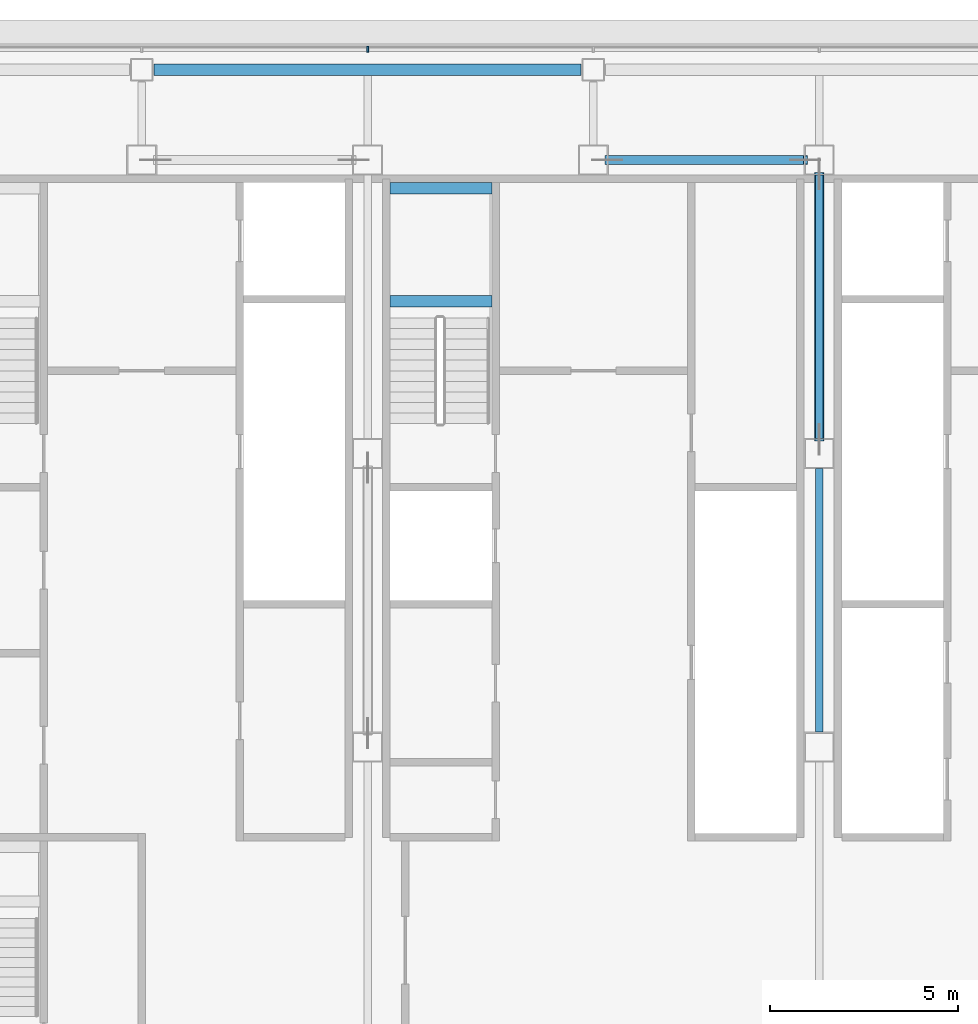
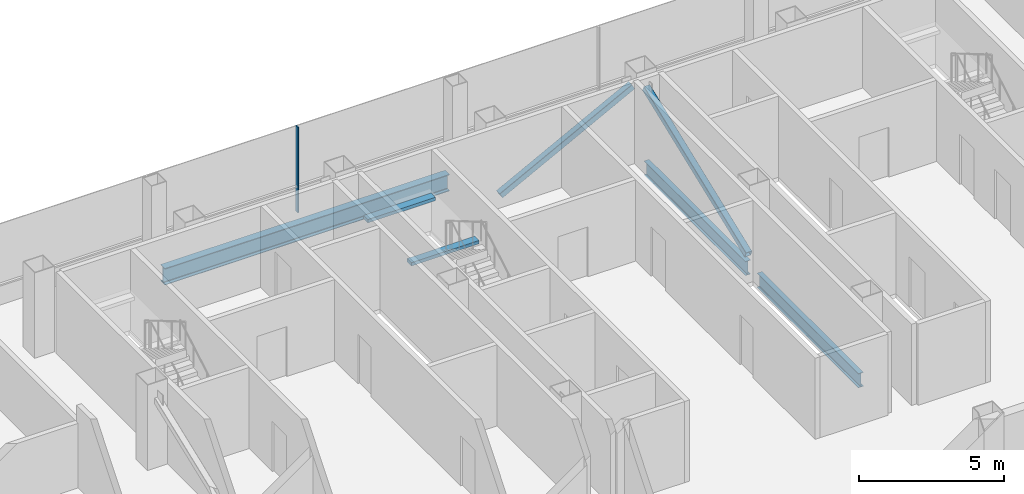
# One storey, part 14 of 27: 5 beams, 3 members, 1 element without a shape of its own.
"""IFC4 building model written with IfcOpenShell, lengths in metres."""

from ifc_helpers import new_model, si_unit, direction, frame, origin, origin_2d, place, context, subcontext, project, spatial, rectangle, hollow_rectangle, i_section, extrude, material, material_profile, profile_set, type_object, element, aggregate, save


model = new_model("IFC4")

# Units and contexts
model_context = context("Model", 3, precision=1e-05, world=origin(), true_north=direction((0.0, 1.0)))
body_context = subcontext(model_context, "Body", "Model", "MODEL_VIEW")
ifc_project = project(units=[si_unit("LENGTHUNIT", "METRE"), si_unit("AREAUNIT", "SQUARE_METRE"), si_unit("VOLUMEUNIT", "CUBIC_METRE"), si_unit("PLANEANGLEUNIT", "RADIAN"), si_unit("MASSUNIT", "GRAM", prefix="KILO")], contexts=[model_context])

# Site, building, storey
site_placement = place(None, origin())
site = spatial("IfcSite", under=ifc_project, at=site_placement, CompositionType="ELEMENT")
building_placement = place(site_placement, origin())
building = spatial("IfcBuilding", under=site, at=building_placement, Name="Sorahane Residences", CompositionType="ELEMENT")
storey_placement = place(building_placement, frame((0.0, 0.0, 246.800048828125)))
storey = spatial("IfcBuildingStorey", under=building, at=storey_placement, Name="L58", CompositionType="ELEMENT", Elevation=246.800048828125)

# Members
ifc_material_1 = material(Name="Steel Q355B", Category="steel")
ifc_material_profile_1 = material_profile(ifc_material_1, hollow_rectangle(XDim=0.25, YDim=0.25, WallThickness=0.013916015625, InnerFilletRadius=0.007080078125, OuterFilletRadius=0.02099609375, at=origin_2d()), Name="RHS 250x250x14")
ifc_profile_set_1 = profile_set([ifc_material_profile_1], Name="Steel Q355B")
member_type_1 = type_object("IfcMemberType", Name="Core brace RHS 250x250x14 Q355B", PredefinedType="BRACE", material=ifc_profile_set_1)
member_1_placement = place(storey_placement, frame((24.365234375, 45.60009765625, 0.106689453125), z_axis=(0.886099769192, 0.0, 0.46349455125), x_axis=(0.0, 1.0, 0.0)))
element("IfcMember", 1, at=member_1_placement, inside=storey, type_object=member_type_1, Name="Core brace L58 y45.6-4", PredefinedType="BRACE", context=body_context, shape_type="SweptSolid", body=[
    extrude(hollow_rectangle(XDim=0.25, YDim=0.25, WallThickness=0.013916015625, InnerFilletRadius=0.007080078125, OuterFilletRadius=0.02099609375, at=origin_2d()), origin(), (0.0, 0.0, 1.0), 5.94677734375),
])
member_2_placement = place(storey_placement, frame((30.0, 38.1728515625, 0.114501953125), z_axis=(0.0, 0.932108763247, 0.362178482902), x_axis=(-1.0, 0.0, 0.0)))
element("IfcMember", 2, at=member_2_placement, inside=storey, type_object=member_type_1, Name="Core brace L58 x30-2", PredefinedType="BRACE", context=body_context, shape_type="SweptSolid", body=[
    extrude(hollow_rectangle(XDim=0.25, YDim=0.25, WallThickness=0.013916015625, InnerFilletRadius=0.007080078125, OuterFilletRadius=0.02099609375, at=origin_2d()), origin(), (0.0, 0.0, 1.0), 7.568115234375),
])

# Curtain wall, member
ifc_material_2 = material(Name="Dark low-e glass and black anodised aluminium", Category="aluminium")
curtain_wall_type = type_object("IfcCurtainWallType", Name="Curtain wall CW-1 Typical unitised wall", PredefinedType="NOTDEFINED", material=ifc_material_2)
curtain_wall_placement = place(storey_placement, origin())
curtain_wall = element("IfcCurtainWall", 3, at=curtain_wall_placement, inside=storey, type_object=curtain_wall_type, Name="CW-1 curtain wall L58 N1", PredefinedType="NOTDEFINED")
ifc_material_3 = material(Name="Black anodised aluminium", Category="aluminium")
ifc_material_profile_2 = material_profile(ifc_material_3, rectangle(XDim=0.159912109375, YDim=0.050048828125, at=origin_2d()), Name="Curtain wall mullion CW-1 black anodised aluminium 50x160")
ifc_profile_set_2 = profile_set([ifc_material_profile_2], Name="Black anodised aluminium")
member_type_2 = type_object("IfcMemberType", Name="Curtain wall mullion CW-1 black anodised aluminium 50x160", PredefinedType="MULLION", material=ifc_profile_set_2)
member_3_placement = place(storey_placement, frame((18.0, 48.5400390625, -0.179931640625), z_axis=(0.0, 0.0, 1.0), x_axis=(0.0, 1.0, 0.0)))
member_3 = element("IfcMember", 4, at=member_3_placement, type_object=member_type_2, Name="CW-1 mullion L58 N1.6", PredefinedType="MULLION", context=body_context, shape_type="SweptSolid", body=[
    extrude(rectangle(XDim=0.159912109375, YDim=0.050048828125, at=origin_2d()), origin(), (0.0, 0.0, 1.0), 3.599853515625),
])
aggregate(curtain_wall, [member_3])

# Beams
ifc_material_4 = material(Name="Concrete C40", Category="concrete")
ifc_material_profile_3 = material_profile(ifc_material_4, rectangle(XDim=0.300048828125, YDim=0.139892578125, at=origin_2d()), Name="300x140")
ifc_profile_set_3 = profile_set([ifc_material_profile_3], Name="Concrete C40")
beam_type_1 = type_object("IfcBeamType", Name="RC landing beam 300 x 140 Concrete C40", PredefinedType="BEAM", material=ifc_profile_set_3)
for number, where, z_axis, x_axis, name in (
    (5, (18.60009765625, 41.85009765625, 1.530029296875), (1.0, 0.0, 0.0), (0.0, 1.0, 0.0), "Landing beam"),
    (6, (18.60009765625, 44.85009765625, 1.530029296875), (1.0, 0.0, 0.0), (0.0, 1.0, 0.0), "Landing beam"),
):
    element("IfcBeam", number, at=place(storey_placement, frame(where, z_axis=z_axis, x_axis=x_axis)), inside=storey, type_object=beam_type_1, Name=name, PredefinedType="BEAM", context=body_context, shape_type="SweptSolid", body=[
        extrude(rectangle(XDim=0.300048828125, YDim=0.139892578125, at=origin_2d()), origin(), (0.0, 0.0, 1.0), 2.699951171875),
    ])
ifc_material_5 = material(Name="Steel Q355B", Category="steel")
ifc_material_profile_4 = material_profile(ifc_material_5, i_section(OverallWidth=0.199951171875, OverallDepth=0.60009765625, WebThickness=0.010986328125, FlangeThickness=0.01708984375, FilletRadius=0.02392578125, at=origin_2d()), Name="HN 600x200x11x17")
ifc_profile_set_4 = profile_set([ifc_material_profile_4], Name="Steel Q355B")
beam_type_2 = type_object("IfcBeamType", Name="Steel floor beam HN 600x200x11x17 Q355B", PredefinedType="BEAM", material=ifc_profile_set_4)
for number, where, z_axis, x_axis, name in (
    (7, (30.0, 30.39990234375, -0.47998046875), (0.0, 1.0, 0.0), (-1.0, 0.0, 0.0), "Beam L58 047"),
    (8, (30.0, 38.199951171875, -0.47998046875), (0.0, 1.0, 0.0), (-1.0, 0.0, 0.0), "Beam L58 048"),
):
    element("IfcBeam", number, at=place(storey_placement, frame(where, z_axis=z_axis, x_axis=x_axis)), inside=storey, type_object=beam_type_2, Name=name, PredefinedType="BEAM", context=body_context, shape_type="SweptSolid", body=[
        extrude(i_section(OverallWidth=0.199951171875, OverallDepth=0.60009765625, WebThickness=0.010986328125, FlangeThickness=0.01708984375, FilletRadius=0.02392578125, at=origin_2d()), origin(), (0.0, 0.0, 1.0), 7.0),
    ])
ifc_material_6 = material(Name="Steel Q355B", Category="steel")
ifc_material_profile_5 = material_profile(ifc_material_6, i_section(OverallWidth=0.300048828125, OverallDepth=0.699951171875, WebThickness=0.012939453125, FlangeThickness=0.02392578125, FilletRadius=0.028076171875, at=origin_2d()), Name="HN 700x300x13x24")
ifc_profile_set_5 = profile_set([ifc_material_profile_5], Name="Steel Q355B")
beam_type_3 = type_object("IfcBeamType", Name="Steel floor beam HN 700x300x13x24 Q355B", PredefinedType="BEAM", material=ifc_profile_set_5)
beam_placement = place(storey_placement, frame((12.324951171875, 48.0, -0.530029296875), z_axis=(1.0, 0.0, 0.0), x_axis=(0.0, 1.0, 0.0)))
element("IfcBeam", 9, at=beam_placement, inside=storey, type_object=beam_type_3, Name="Beam L58 017", PredefinedType="BEAM", context=body_context, shape_type="SweptSolid", body=[
    extrude(i_section(OverallWidth=0.300048828125, OverallDepth=0.699951171875, WebThickness=0.012939453125, FlangeThickness=0.02392578125, FilletRadius=0.028076171875, at=origin_2d()), origin(), (0.0, 0.0, 1.0), 11.35009765625),
])

save(model, "model.ifc")
